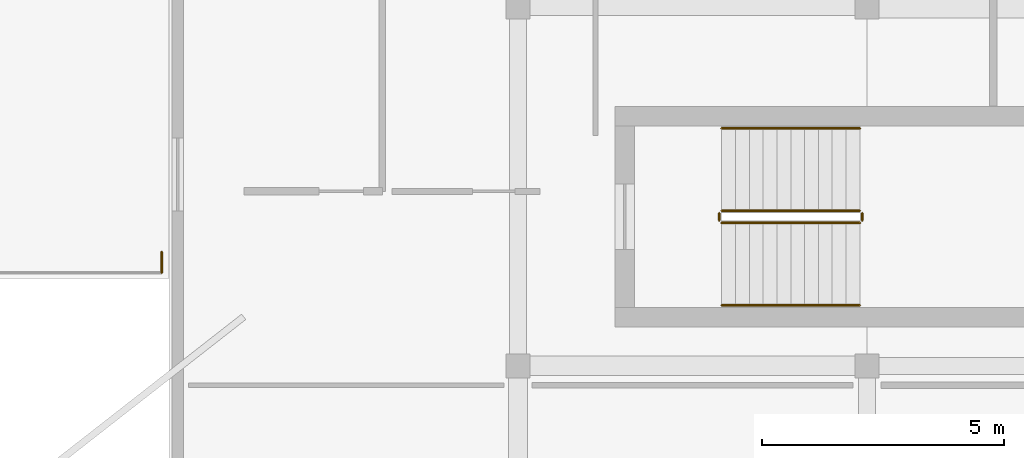
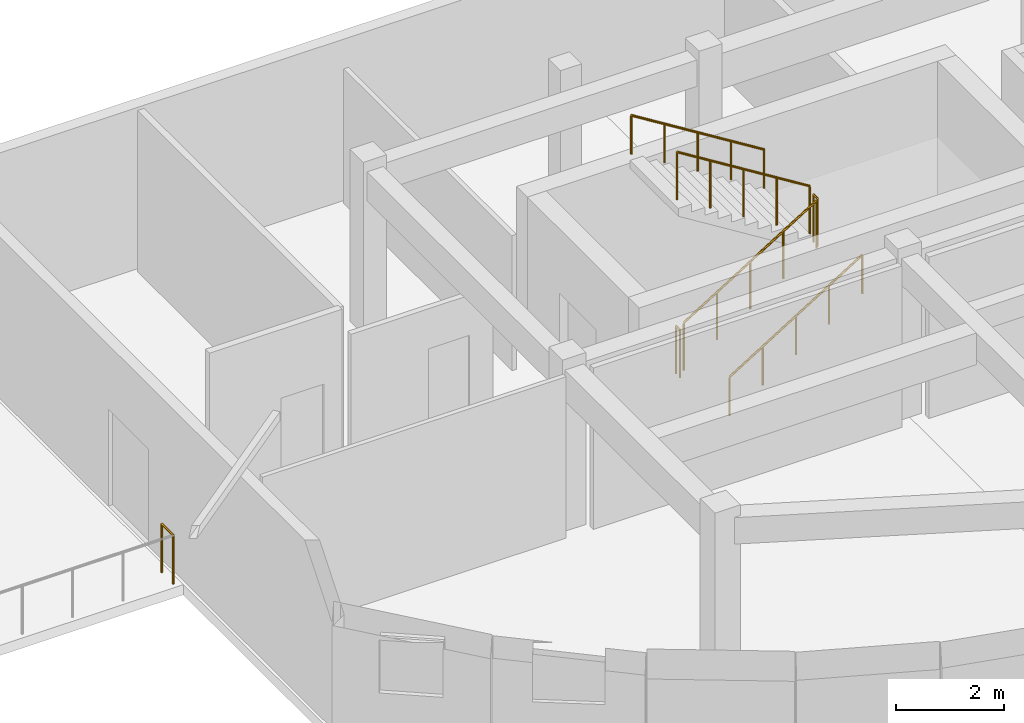
# One storey, part 30 of 32: 7 railings.
"""IFC4 building model written with IfcOpenShell, lengths in metres."""

from ifc_helpers import new_model, si_unit, direction, frame, origin, origin_2d, place, context, subcontext, project, spatial, circle, extrude, material, type_object, element, save


model = new_model("IFC4")

# Units and contexts
model_context = context("Model", 3, precision=1e-05, world=origin(), true_north=direction((0.0, 1.0)))
body_context = subcontext(model_context, "Body", "Model", "MODEL_VIEW")
ifc_project = project(units=[si_unit("LENGTHUNIT", "METRE"), si_unit("AREAUNIT", "SQUARE_METRE"), si_unit("VOLUMEUNIT", "CUBIC_METRE"), si_unit("PLANEANGLEUNIT", "RADIAN"), si_unit("MASSUNIT", "GRAM", prefix="KILO")], contexts=[model_context])

# Site, building, storey
site_placement = place(None, origin())
site = spatial("IfcSite", under=ifc_project, at=site_placement, CompositionType="ELEMENT")
building_placement = place(site_placement, origin())
building = spatial("IfcBuilding", under=site, at=building_placement, Name="Brisavento Harbour Community Centre", CompositionType="ELEMENT")
storey_placement = place(building_placement, frame((0.0, 0.0, 12.89990234375)))
storey = spatial("IfcBuildingStorey", under=building, at=storey_placement, Name="L03", CompositionType="ELEMENT", Elevation=12.89990234375)

# Railings
ifc_material = material(Name="Stainless steel 1.4401", Category="steel")
railing_type_1 = type_object("IfcRailingType", Name="RL-ST-GUARD", PredefinedType="GUARDRAIL", material=ifc_material)
railing_1_placement = place(storey_placement, frame((119.39990234375, 17.949951171875, 0.177490234375)))
element("IfcRailing", 1, at=railing_1_placement, inside=storey, type_object=railing_type_1, Name="L03 ST-04 stair guard 1", PredefinedType="GUARDRAIL", context=body_context, shape_type="SweptSolid", body=[
    extrude(circle(Radius=0.02392578125, at=origin_2d()), frame((0.0, 0.0, 1.076171875), z_axis=(0.849148672731, 0.0, 0.528153890072), x_axis=(0.0, 1.0, 0.0)), (0.0, 0.0, 1.0), 3.3564453125),
    extrude(circle(Radius=0.02099609375, at=origin_2d()), origin(), (0.0, 0.0, 1.0), 1.052001953125),
    extrude(circle(Radius=0.02099609375, at=origin_2d()), frame((0.71240234375, 0.0, 0.443115234375)), (0.0, 0.0, 1.0), 1.052001953125),
    extrude(circle(Radius=0.02099609375, at=origin_2d()), frame((1.425048828125, 0.0, 0.88623046875)), (0.0, 0.0, 1.0), 1.052001953125),
    extrude(circle(Radius=0.02099609375, at=origin_2d()), frame((2.1376953125, 0.0, 1.32958984375)), (0.0, 0.0, 1.0), 1.052001953125),
    extrude(circle(Radius=0.02099609375, at=origin_2d()), frame((2.85009765625, 0.0, 1.772705078125)), (0.0, 0.0, 1.0), 1.052001953125),
])
railing_2_placement = place(storey_placement, frame((122.300048828125, 18.0, 1.9501953125)))
element("IfcRailing", 2, at=railing_2_placement, inside=storey, type_object=railing_type_1, Name="L03 ST-04 stair guard 2", PredefinedType="GUARDRAIL", context=body_context, shape_type="SweptSolid", body=[
    extrude(circle(Radius=0.02392578125, at=origin_2d()), frame((0.0, 0.0, 1.076171875), z_axis=(0.0, 1.0, 0.0), x_axis=(-1.0, 0.0, 0.0)), (0.0, 0.0, 1.0), 0.14990234375),
    extrude(circle(Radius=0.02099609375, at=origin_2d()), origin(), (0.0, 0.0, 1.0), 1.052001953125),
    extrude(circle(Radius=0.02099609375, at=origin_2d()), frame((0.0, 0.14990234375, 0.0)), (0.0, 0.0, 1.0), 1.052001953125),
])
railing_3_placement = place(storey_placement, frame((122.25, 18.199951171875, 2.12744140625)))
element("IfcRailing", 3, at=railing_3_placement, inside=storey, type_object=railing_type_1, Name="L03 ST-04 stair guard 3", PredefinedType="GUARDRAIL", context=body_context, shape_type="SweptSolid", body=[
    extrude(circle(Radius=0.02392578125, at=origin_2d()), frame((0.0, 0.0, 1.076171875), z_axis=(-0.849148672731, 0.0, 0.528153890072), x_axis=(0.0, -1.0, 0.0)), (0.0, 0.0, 1.0), 3.3564453125),
    extrude(circle(Radius=0.02099609375, at=origin_2d()), origin(), (0.0, 0.0, 1.0), 1.052001953125),
    extrude(circle(Radius=0.02099609375, at=origin_2d()), frame((-0.71240234375, 0.0, 0.443115234375)), (0.0, 0.0, 1.0), 1.052001953125),
    extrude(circle(Radius=0.02099609375, at=origin_2d()), frame((-1.425048828125, 0.0, 0.88623046875)), (0.0, 0.0, 1.0), 1.052001953125),
    extrude(circle(Radius=0.02099609375, at=origin_2d()), frame((-2.1376953125, 0.0, 1.32958984375)), (0.0, 0.0, 1.0), 1.052001953125),
    extrude(circle(Radius=0.02099609375, at=origin_2d()), frame((-2.85009765625, 0.0, 1.772705078125)), (0.0, 0.0, 1.0), 1.052001953125),
])
railing_4_placement = place(storey_placement, frame((119.35009765625, 18.0, 0.0)))
element("IfcRailing", 4, at=railing_4_placement, inside=storey, type_object=railing_type_1, Name="L03 ST-04 stair guard 4", PredefinedType="GUARDRAIL", context=body_context, shape_type="SweptSolid", body=[
    extrude(circle(Radius=0.02392578125, at=origin_2d()), frame((0.0, 0.0, 1.076171875), z_axis=(0.0, 1.0, 0.0), x_axis=(-1.0, 0.0, 0.0)), (0.0, 0.0, 1.0), 0.14990234375),
    extrude(circle(Radius=0.02099609375, at=origin_2d()), origin(), (0.0, 0.0, 1.0), 1.052001953125),
    extrude(circle(Radius=0.02099609375, at=origin_2d()), frame((0.0, 0.14990234375, 0.0)), (0.0, 0.0, 1.0), 1.052001953125),
])
railing_type_2 = type_object("IfcRailingType", Name="RL-ST-HAND", PredefinedType="HANDRAIL", material=ifc_material)
railing_5_placement = place(storey_placement, frame((119.39990234375, 16.25, 0.177490234375)))
element("IfcRailing", 5, at=railing_5_placement, inside=storey, type_object=railing_type_2, Name="L03 ST-04 stair handrail 1", PredefinedType="HANDRAIL", context=body_context, shape_type="SweptSolid", body=[
    extrude(circle(Radius=0.02392578125, at=origin_2d()), frame((0.0, 0.0, 0.8759765625), z_axis=(0.849148672731, 0.0, 0.528153890072), x_axis=(0.0, 1.0, 0.0)), (0.0, 0.0, 1.0), 3.3564453125),
    extrude(circle(Radius=0.02099609375, at=origin_2d()), origin(), (0.0, 0.0, 1.0), 0.851806640625),
    extrude(circle(Radius=0.02099609375, at=origin_2d()), frame((0.71240234375, 0.0, 0.443115234375)), (0.0, 0.0, 1.0), 0.851806640625),
    extrude(circle(Radius=0.02099609375, at=origin_2d()), frame((1.425048828125, 0.0, 0.88623046875)), (0.0, 0.0, 1.0), 0.851806640625),
    extrude(circle(Radius=0.02099609375, at=origin_2d()), frame((2.1376953125, 0.0, 1.32958984375)), (0.0, 0.0, 1.0), 0.851806640625),
    extrude(circle(Radius=0.02099609375, at=origin_2d()), frame((2.85009765625, 0.0, 1.772705078125)), (0.0, 0.0, 1.0), 0.851806640625),
])
railing_6_placement = place(storey_placement, frame((122.25, 19.89990234375, 2.12744140625)))
element("IfcRailing", 6, at=railing_6_placement, inside=storey, type_object=railing_type_2, Name="L03 ST-04 stair handrail 2", PredefinedType="HANDRAIL", context=body_context, shape_type="SweptSolid", body=[
    extrude(circle(Radius=0.02392578125, at=origin_2d()), frame((0.0, 0.0, 0.8759765625), z_axis=(-0.849148672731, 0.0, 0.528153890072), x_axis=(0.0, -1.0, 0.0)), (0.0, 0.0, 1.0), 3.3564453125),
    extrude(circle(Radius=0.02099609375, at=origin_2d()), origin(), (0.0, 0.0, 1.0), 0.851806640625),
    extrude(circle(Radius=0.02099609375, at=origin_2d()), frame((-0.71240234375, 0.0, 0.443115234375)), (0.0, 0.0, 1.0), 0.851806640625),
    extrude(circle(Radius=0.02099609375, at=origin_2d()), frame((-1.425048828125, 0.0, 0.88623046875)), (0.0, 0.0, 1.0), 0.851806640625),
    extrude(circle(Radius=0.02099609375, at=origin_2d()), frame((-2.1376953125, 0.0, 1.32958984375)), (0.0, 0.0, 1.0), 0.851806640625),
    extrude(circle(Radius=0.02099609375, at=origin_2d()), frame((-2.85009765625, 0.0, 1.772705078125)), (0.0, 0.0, 1.0), 0.851806640625),
])
railing_type_3 = type_object("IfcRailingType", Name="RL-TER-GUARD", PredefinedType="GUARDRAIL", material=ifc_material)
railing_7_placement = place(storey_placement, frame((107.85009765625, 16.919921875, 0.0)))
element("IfcRailing", 7, at=railing_7_placement, inside=storey, type_object=railing_type_3, Name="L03 Public Roof Terrace east return guard", PredefinedType="GUARDRAIL", context=body_context, shape_type="SweptSolid", body=[
    extrude(circle(Radius=0.02392578125, at=origin_2d()), frame((0.0, 0.0, 1.09619140625), z_axis=(0.0, 1.0, 0.0), x_axis=(-1.0, 0.0, 0.0)), (0.0, 0.0, 1.0), 0.43017578125),
    extrude(circle(Radius=0.02099609375, at=origin_2d()), origin(), (0.0, 0.0, 1.0), 1.072021484375),
    extrude(circle(Radius=0.02099609375, at=origin_2d()), frame((0.0, 0.43017578125, 0.0)), (0.0, 0.0, 1.0), 1.072021484375),
])

save(model, "model.ifc")
